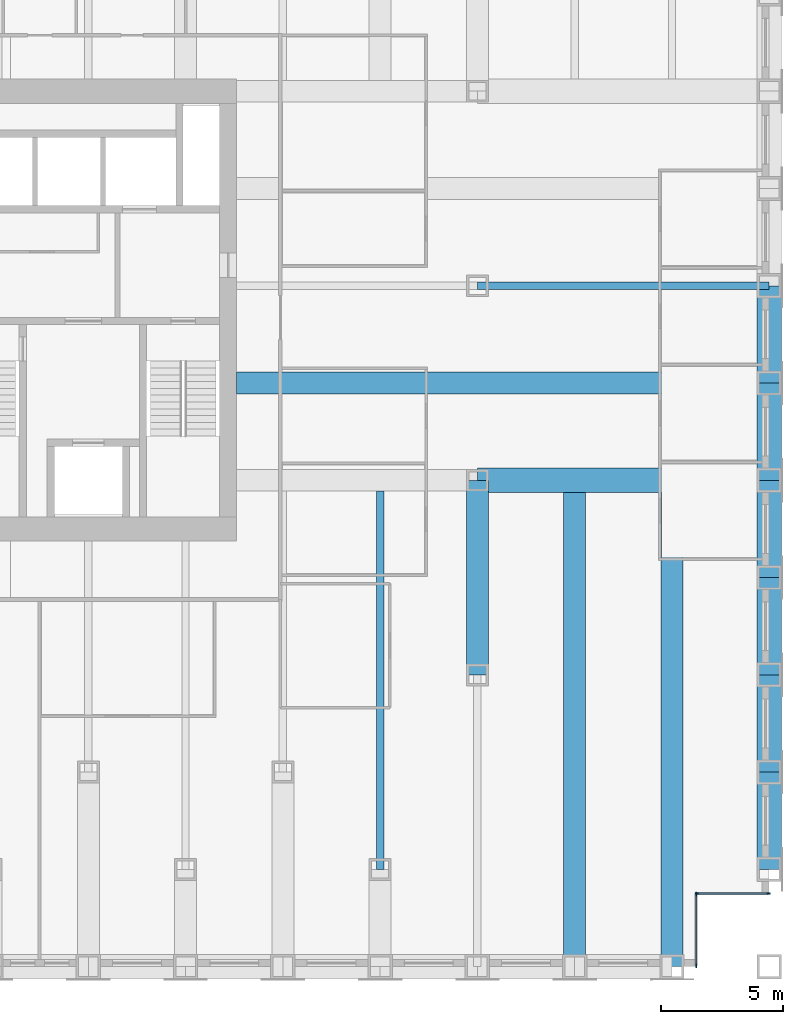
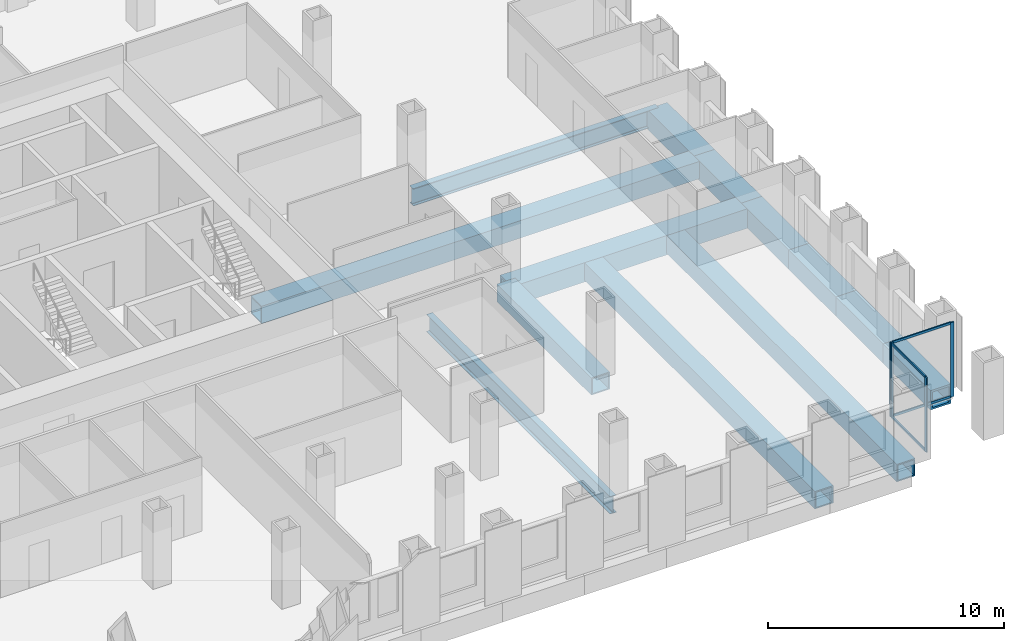
# One storey, part 4 of 16: 13 beams, 8 members, 2 elements without a shape of their own.
"""IFC4 building model written with IfcOpenShell, lengths in metres."""

import ifcopenshell
import ifcopenshell.guid

model = None  # the IFC model being written
_history = None  # IfcOwnerHistory: only IFC2X3 demands one
_inside = {}  # id of a spatial element -> (the spatial element, [elements in it])
_under = {}  # id of a project, library or spatial element -> (it, [spatial elements below it])
_declared = {}  # id of a project -> (the project, [libraries it declares])
_typed = {}  # id of a type object -> (the type object, [elements of that type])
_made_of = {}  # id of a material, layer set ... -> (it, [elements and type objects made of it])


def new_model(schema):
    """Start an empty IFC model of exactly this schema.

    Asked for "IFC4X3", IfcOpenShell would pick the latest addendum, in which some entities
    have other attributes; the version numbers below select the first issue.
    IFC2X3 requires an IfcOwnerHistory on every rooted entity: one is made here for all.
    """
    global model, _history
    if schema == "IFC4X3":
        model = ifcopenshell.file(schema_version=(4, 3, 0, 0))
    else:
        model = ifcopenshell.file(schema=schema)
    _inside.clear()
    _under.clear()
    _declared.clear()
    _typed.clear()
    _made_of.clear()
    _history = None
    if model.schema == "IFC2X3":
        org = make("IfcOrganization", Name="unknown")
        user = make(
            "IfcPersonAndOrganization",
            ThePerson=make("IfcPerson", FamilyName="unknown"),
            TheOrganization=org,
        )
        app = make(
            "IfcApplication",
            ApplicationDeveloper=org,
            Version="unknown",
            ApplicationFullName="unknown",
            ApplicationIdentifier="unknown",
        )
        _history = make(
            "IfcOwnerHistory",
            OwningUser=user,
            OwningApplication=app,
            ChangeAction="ADDED",
            CreationDate=0,
        )
    return model


def make(cls, **values):
    """One entity of the class cls with the attributes given. An attribute that is None is left unset."""
    return model.create_entity(
        cls, **{name: value for name, value in values.items() if value is not None}
    )


def rooted(cls, **values):
    """An entity with a GlobalId (a new one), such as an element, a storey or a relation."""
    return make(cls, GlobalId=ifcopenshell.guid.new(), OwnerHistory=_history, **values)


def si_unit(unit_type, name, prefix=None):
    """IfcSIUnit, for example si_unit("LENGTHUNIT", "METRE", prefix="MILLI")."""
    return make("IfcSIUnit", UnitType=unit_type, Prefix=prefix, Name=name)


def assignment(units):
    """IfcUnitAssignment: the units of a project."""
    return None if units is None else make("IfcUnitAssignment", Units=units)


def point(xyz):
    """IfcCartesianPoint."""
    return None if xyz is None else make("IfcCartesianPoint", Coordinates=xyz)


def direction(xyz):
    """IfcDirection."""
    return None if xyz is None else make("IfcDirection", DirectionRatios=xyz)


def frame(location, z_axis=None, x_axis=None):
    """IfcAxis2Placement3D, a coordinate frame: its origin and axes. An axis left out is left unset."""
    return make(
        "IfcAxis2Placement3D",
        Location=point(location),
        Axis=direction(z_axis),
        RefDirection=direction(x_axis),
    )


def frame_2d(location, x_axis=None):
    """IfcAxis2Placement2D, a coordinate frame in the plane: its origin and x axis."""
    return make(
        "IfcAxis2Placement2D", Location=point(location), RefDirection=direction(x_axis)
    )


def origin():
    """The frame at (0, 0, 0) with its axes left unset."""
    return frame((0.0, 0.0, 0.0))


def origin_2d():
    """The frame at (0, 0) in the plane with its x axis left unset."""
    return frame_2d((0.0, 0.0))


def place(relative_to, where):
    """IfcLocalPlacement: puts the frame where relative to a parent placement (None: the world)."""
    return make(
        "IfcLocalPlacement", PlacementRelTo=relative_to, RelativePlacement=where
    )


def context(
    kind, dimensions, precision=None, world=None, true_north=None, identifier=None
):
    """IfcGeometricRepresentationContext, for example the 3D "Model" context."""
    return make(
        "IfcGeometricRepresentationContext",
        ContextIdentifier=identifier,
        ContextType=kind,
        CoordinateSpaceDimension=dimensions,
        Precision=precision,
        WorldCoordinateSystem=world,
        TrueNorth=true_north,
    )


def subcontext(parent, identifier, kind, view, scale=None):
    """IfcGeometricRepresentationSubContext, for example "Body" below "Model"."""
    return make(
        "IfcGeometricRepresentationSubContext",
        ContextIdentifier=identifier,
        ContextType=kind,
        ParentContext=parent,
        TargetScale=scale,
        TargetView=view,
    )


def project(units=None, contexts=None):
    """IfcProject with its units and contexts."""
    return rooted(
        "IfcProject",
        Name="project",
        RepresentationContexts=contexts,
        UnitsInContext=assignment(units),
    )


def spatial(cls, under=None, at=None, **own):
    """A site, building, storey or space (cls), placed at a placement, below another one or the project."""
    s = rooted(cls, ObjectPlacement=at, **own)
    if under is not None:
        _under.setdefault(under.id(), (under, []))[1].append(s)
    return s


def profile(cls, at=None, kind="AREA", **sizes):
    """A parametric profile (cls). Its sizes go by their IFC names, for example OverallWidth=200.0."""
    return make(cls, ProfileType=kind, Position=at, **sizes)


def rectangle(**sizes):
    """IfcRectangleProfileDef."""
    return profile("IfcRectangleProfileDef", **sizes)


def hollow_rectangle(**sizes):
    """IfcRectangleHollowProfileDef."""
    return profile("IfcRectangleHollowProfileDef", **sizes)


def i_section(**sizes):
    """IfcIShapeProfileDef."""
    return profile("IfcIShapeProfileDef", **sizes)


def extrude(swept, where, along, depth):
    """IfcExtrudedAreaSolid: the profile swept, set in the frame where, extruded along a direction by depth."""
    return make(
        "IfcExtrudedAreaSolid",
        SweptArea=swept,
        Position=where,
        ExtrudedDirection=direction(along),
        Depth=depth,
    )


def shape(context_of_items, identifier, shape_type, items):
    """IfcShapeRepresentation: the items that make up one representation, for example the "Body"."""
    return make(
        "IfcShapeRepresentation",
        ContextOfItems=context_of_items,
        RepresentationIdentifier=identifier,
        RepresentationType=shape_type,
        Items=items,
    )


def material(Name=None, Category=None):
    """IfcMaterial."""
    return make("IfcMaterial", Name=Name, Category=Category)


def material_profile(
    of_material, cross_section, Name=None, Category=None, Priority=None
):
    """IfcMaterialProfile: a cross section and its material."""
    return make(
        "IfcMaterialProfile",
        Name=Name,
        Material=of_material,
        Profile=cross_section,
        Priority=Priority,
        Category=Category,
    )


def profile_set(profiles, Name=None, composite=None):
    """IfcMaterialProfileSet."""
    return make(
        "IfcMaterialProfileSet",
        Name=Name,
        MaterialProfiles=profiles,
        CompositeProfile=composite,
    )


def made_of(thing, what):
    """Note that an element or type object is made of a material, layer set ...; save() writes the relation."""
    if what is not None:
        _made_of.setdefault(what.id(), (what, []))[1].append(thing)
    return thing


def type_object(cls, material=None, **own):
    """A type object (cls), such as IfcWallType, which elements share."""
    return made_of(rooted(cls, **own), material)


def element(
    cls,
    number,
    at=None,
    inside=None,
    cuts=None,
    type_object=None,
    material=None,
    context=None,
    identifier="Body",
    shape_type=None,
    held_by="IfcProductDefinitionShape",
    body=None,
    shapes=None,
    **own,
):
    """One element of the class cls, such as IfcWall. Its Tag is "e" and its number.

    at: its placement. inside: the storey or other place that contains it. cuts: it is an
    opening in that element (IfcRelVoidsElement). A single representation is given by context,
    identifier, shape_type and body (its items); several are given by shapes. held_by: the class
    of the entity that holds the representations. save() writes the other relations.
    """
    e = rooted(cls, Tag="e%d" % number, ObjectPlacement=at, **own)
    if body is not None:
        shapes = [shape(context, identifier, shape_type, body)]
    if shapes is not None:
        e.Representation = make(held_by, Representations=shapes)
    if inside is not None:
        _inside.setdefault(inside.id(), (inside, []))[1].append(e)
    if cuts is not None:
        rooted(
            "IfcRelVoidsElement", RelatingBuildingElement=cuts, RelatedOpeningElement=e
        )
    if type_object is not None:
        _typed.setdefault(type_object.id(), (type_object, []))[1].append(e)
    return made_of(e, material)


def aggregate(whole, parts):
    """IfcRelAggregates: a whole, such as a stair, and the parts it consists of."""
    return rooted("IfcRelAggregates", RelatingObject=whole, RelatedObjects=parts)


def save(model, path):
    """Write the relations noted so far, then the file.

    IfcRelAggregates (storeys below a building ...), IfcRelContainedInSpatialStructure (elements
    in a storey), IfcRelDefinesByType, IfcRelAssociatesMaterial and IfcRelDeclares: one each for
    every whole, place, type object, material and project.
    """
    for whole, parts in _under.values():
        aggregate(whole, parts)
    for where, things in _inside.values():
        rooted(
            "IfcRelContainedInSpatialStructure",
            RelatedElements=things,
            RelatingStructure=where,
        )
    for kind, things in _typed.values():
        rooted("IfcRelDefinesByType", RelatedObjects=things, RelatingType=kind)
    for what, things in _made_of.values():
        rooted("IfcRelAssociatesMaterial", RelatedObjects=things, RelatingMaterial=what)
    for by, libraries in _declared.values():
        rooted("IfcRelDeclares", RelatingContext=by, RelatedDefinitions=libraries)
    model.write(path)


model = new_model("IFC4")

# Units and contexts
model_context = context("Model", 3, precision=1e-05, world=origin(), true_north=direction((0.0, 1.0)))
body_context = subcontext(model_context, "Body", "Model", "MODEL_VIEW")
ifc_project = project(units=[si_unit("LENGTHUNIT", "METRE"), si_unit("AREAUNIT", "SQUARE_METRE"), si_unit("VOLUMEUNIT", "CUBIC_METRE"), si_unit("PLANEANGLEUNIT", "RADIAN"), si_unit("MASSUNIT", "GRAM", prefix="KILO")], contexts=[model_context])

# Site, building, storey
site_placement = place(None, origin())
site = spatial("IfcSite", under=ifc_project, at=site_placement, CompositionType="ELEMENT")
building_placement = place(site_placement, origin())
building = spatial("IfcBuilding", under=site, at=building_placement, Name="Rimbunsela Tower", CompositionType="ELEMENT")
storey_placement = place(building_placement, frame((0.0, 0.0, 89.39990234375)))
storey = spatial("IfcBuildingStorey", under=building, at=storey_placement, Name="L21", CompositionType="ELEMENT", Elevation=89.39990234375)

# Beams
ifc_material_1 = material(Name="Steel BJ 55 (fy 410 MPa)", Category="steel")
ifc_material_profile_1 = material_profile(ifc_material_1, hollow_rectangle(XDim=1.0, YDim=1.0, WallThickness=0.10009765625, at=origin_2d()), Name="BOX 1000x1000x100")
ifc_profile_set_1 = profile_set([ifc_material_profile_1], Name="Steel BJ 55 (fy 410 MPa)")
beam_type_1 = type_object("IfcBeamType", Name="Beam BOX 1000x1000x100", PredefinedType="BEAM", material=ifc_profile_set_1)
beam_1_placement = place(storey_placement, frame((46.0, 20.0, -0.64990234375), z_axis=(1.0, 0.0, 0.0), x_axis=(0.0, 1.0, 0.0)))
element("IfcBeam", 1, at=beam_1_placement, inside=storey, type_object=beam_type_1, Name="Beam B3 L21", PredefinedType="BEAM", context=body_context, shape_type="SweptSolid", body=[
    extrude(hollow_rectangle(XDim=1.0, YDim=1.0, WallThickness=0.10009765625, at=origin_2d()), origin(), (0.0, 0.0, 1.0), 12.0),
])
for number, where, z_axis, x_axis, name in (
    (2, (58.0, 4.0, -0.64990234375), (0.0, 1.0, 0.0), (-1.0, 0.0, 0.0), "Beam B3 L21"),
    (3, (58.0, 8.0, -0.64990234375), (0.0, 1.0, 0.0), (-1.0, 0.0, 0.0), "Beam B3 L21"),
    (4, (58.0, 12.0, -0.64990234375), (0.0, 1.0, 0.0), (-1.0, 0.0, 0.0), "Beam B3 L21"),
    (5, (58.0, 16.0, -0.64990234375), (0.0, 1.0, 0.0), (-1.0, 0.0, 0.0), "Beam B3 L21"),
    (6, (58.0, 20.0, -0.64990234375), (0.0, 1.0, 0.0), (-1.0, 0.0, 0.0), "Beam B3 L21"),
    (7, (58.0, 24.0, -0.64990234375), (0.0, 1.0, 0.0), (-1.0, 0.0, 0.0), "Beam B3 L21"),
):
    element("IfcBeam", number, at=place(storey_placement, frame(where, z_axis=z_axis, x_axis=x_axis)), inside=storey, type_object=beam_type_1, Name=name, PredefinedType="BEAM", context=body_context, shape_type="SweptSolid", body=[
        extrude(hollow_rectangle(XDim=1.0, YDim=1.0, WallThickness=0.10009765625, at=origin_2d()), origin(), (0.0, 0.0, 1.0), 4.0),
    ])
ifc_material_2 = material(Name="Steel BJ 55 (fy 410 MPa)", Category="steel")
ifc_material_profile_2 = material_profile(ifc_material_2, hollow_rectangle(XDim=0.89990234375, YDim=0.89990234375, WallThickness=0.06005859375, at=origin_2d()), Name="BOX 900x900x60")
ifc_profile_set_2 = profile_set([ifc_material_profile_2], Name="Steel BJ 55 (fy 410 MPa)")
beam_type_2 = type_object("IfcBeamType", Name="Beam BOX 900x900x60", PredefinedType="BEAM", material=ifc_profile_set_2)
beam_2_placement = place(storey_placement, frame((36.10009765625, 24.0, -0.599853515625), z_axis=(1.0, 0.0, 0.0), x_axis=(0.0, 1.0, 0.0)))
element("IfcBeam", 8, at=beam_2_placement, inside=storey, type_object=beam_type_2, Name="Beam B1 L21", PredefinedType="BEAM", context=body_context, shape_type="SweptSolid", body=[
    extrude(hollow_rectangle(XDim=0.89990234375, YDim=0.89990234375, WallThickness=0.06005859375, at=origin_2d()), origin(), (0.0, 0.0, 1.0), 21.89990234375),
])
beam_3_placement = place(storey_placement, frame((46.0, 12.0, -0.599853515625), z_axis=(0.0, 1.0, 0.0), x_axis=(-1.0, 0.0, 0.0)))
element("IfcBeam", 9, at=beam_3_placement, inside=storey, type_object=beam_type_2, Name="Beam B1 L21", PredefinedType="BEAM", context=body_context, shape_type="SweptSolid", body=[
    extrude(hollow_rectangle(XDim=0.89990234375, YDim=0.89990234375, WallThickness=0.06005859375, at=origin_2d()), origin(), (0.0, 0.0, 1.0), 8.0),
])
for number, where, z_axis, x_axis, name in (
    (10, (50.0, 0.0, -0.599853515625), (0.0, 1.0, 0.0), (-1.0, 0.0, 0.0), "Beam B1 L21"),
    (11, (54.0, 0.0, -0.599853515625), (0.0, 1.0, 0.0), (-1.0, 0.0, 0.0), "Beam B1 L21"),
):
    element("IfcBeam", number, at=place(storey_placement, frame(where, z_axis=z_axis, x_axis=x_axis)), inside=storey, type_object=beam_type_2, Name=name, PredefinedType="BEAM", context=body_context, shape_type="SweptSolid", body=[
        extrude(hollow_rectangle(XDim=0.89990234375, YDim=0.89990234375, WallThickness=0.06005859375, at=origin_2d()), origin(), (0.0, 0.0, 1.0), 19.5),
    ])
ifc_material_3 = material(Name="Steel BJ 55 (fy 410 MPa)", Category="steel")
ifc_material_profile_3 = material_profile(ifc_material_3, i_section(OverallWidth=0.300048828125, OverallDepth=0.89990234375, WebThickness=0.01611328125, FlangeThickness=0.028076171875, FilletRadius=0.028076171875, at=origin_2d()), Name="H 900x300x16x28")
ifc_profile_set_3 = profile_set([ifc_material_profile_3], Name="Steel BJ 55 (fy 410 MPa)")
beam_type_3 = type_object("IfcBeamType", Name="Beam H 900x300x16x28", PredefinedType="BEAM", material=ifc_profile_set_3)
beam_4_placement = place(storey_placement, frame((42.0, 4.0, -0.599853515625), z_axis=(0.0, 1.0, 0.0), x_axis=(-1.0, 0.0, 0.0)))
element("IfcBeam", 12, at=beam_4_placement, inside=storey, type_object=beam_type_3, Name="Beam B2 L21", PredefinedType="BEAM", context=body_context, shape_type="SweptSolid", body=[
    extrude(i_section(OverallWidth=0.300048828125, OverallDepth=0.89990234375, WebThickness=0.01611328125, FlangeThickness=0.028076171875, FilletRadius=0.028076171875, at=origin_2d()), origin(), (0.0, 0.0, 1.0), 15.550048828125),
])
beam_5_placement = place(storey_placement, frame((46.0, 28.0, -0.599853515625), z_axis=(1.0, 0.0, 0.0), x_axis=(0.0, 1.0, 0.0)))
element("IfcBeam", 13, at=beam_5_placement, inside=storey, type_object=beam_type_3, Name="Beam B2 L21", PredefinedType="BEAM", context=body_context, shape_type="SweptSolid", body=[
    extrude(i_section(OverallWidth=0.300048828125, OverallDepth=0.89990234375, WebThickness=0.01611328125, FlangeThickness=0.028076171875, FilletRadius=0.028076171875, at=origin_2d()), origin(), (0.0, 0.0, 1.0), 12.0),
])

# Curtain wall, members
ifc_material_4 = material(Name="Aluminium curtain wall", Category="aluminium")
curtain_wall_type = type_object("IfcCurtainWallType", Name="Corner glazing", PredefinedType="USERDEFINED", material=ifc_material_4)
curtain_wall_1_placement = place(storey_placement, origin())
curtain_wall_1 = element("IfcCurtainWall", 14, at=curtain_wall_1_placement, inside=storey, type_object=curtain_wall_type, Name="Corner glazing L21", ObjectType="CORNER GLAZING", PredefinedType="USERDEFINED")
ifc_material_5 = material(Name="Aluminium mullion", Category="aluminium")
ifc_material_profile_4 = material_profile(ifc_material_5, rectangle(XDim=0.06005859375, YDim=0.159912109375, at=origin_2d()), Name="Mullion 60x160")
ifc_profile_set_4 = profile_set([ifc_material_profile_4], Name="Aluminium mullion")
member_type_1 = type_object("IfcMemberType", Name="Curtain wall mullion 60x160", PredefinedType="MULLION", material=ifc_profile_set_4)
member_1_placement = place(storey_placement, frame((55.0, 0.030029296875, 0.0), z_axis=(0.0, 0.0, 1.0), x_axis=(-1.0, 0.0, 0.0)))
member_1 = element("IfcMember", 15, at=member_1_placement, type_object=member_type_1, Name="CW5 mullion 1", PredefinedType="MULLION", context=body_context, shape_type="SweptSolid", body=[
    extrude(rectangle(XDim=0.06005859375, YDim=0.159912109375, at=origin_2d()), origin(), (0.0, 0.0, 1.0), 3.85009765625),
])
member_2_placement = place(storey_placement, frame((55.0, 2.969970703125, 0.0), z_axis=(0.0, 0.0, 1.0), x_axis=(-1.0, 0.0, 0.0)))
member_2 = element("IfcMember", 16, at=member_2_placement, type_object=member_type_1, Name="CW5 mullion 2", PredefinedType="MULLION", context=body_context, shape_type="SweptSolid", body=[
    extrude(rectangle(XDim=0.06005859375, YDim=0.159912109375, at=origin_2d()), origin(), (0.0, 0.0, 1.0), 3.85009765625),
])

curtain_wall_2_placement = place(storey_placement, origin())
curtain_wall_2 = element("IfcCurtainWall", 17, at=curtain_wall_2_placement, inside=storey, type_object=curtain_wall_type, Name="Corner glazing L21", ObjectType="CORNER GLAZING", PredefinedType="USERDEFINED")
member_3_placement = place(storey_placement, frame((55.030029296875, 3.0, 0.0), z_axis=(0.0, 0.0, 1.0), x_axis=(0.0, 1.0, 0.0)))
member_3 = element("IfcMember", 18, at=member_3_placement, type_object=member_type_1, Name="CW5 mullion 1", PredefinedType="MULLION", context=body_context, shape_type="SweptSolid", body=[
    extrude(rectangle(XDim=0.06005859375, YDim=0.159912109375, at=origin_2d()), origin(), (0.0, 0.0, 1.0), 3.85009765625),
])
member_4_placement = place(storey_placement, frame((57.969970703125, 3.0, 0.0), z_axis=(0.0, 0.0, 1.0), x_axis=(0.0, 1.0, 0.0)))
member_4 = element("IfcMember", 19, at=member_4_placement, type_object=member_type_1, Name="CW5 mullion 2", PredefinedType="MULLION", context=body_context, shape_type="SweptSolid", body=[
    extrude(rectangle(XDim=0.06005859375, YDim=0.159912109375, at=origin_2d()), origin(), (0.0, 0.0, 1.0), 3.85009765625),
])

# Member
ifc_material_6 = material(Name="Aluminium transom", Category="aluminium")
ifc_material_profile_5 = material_profile(ifc_material_6, rectangle(XDim=0.06005859375, YDim=0.1201171875, at=origin_2d()), Name="Transom 60x120")
ifc_profile_set_5 = profile_set([ifc_material_profile_5], Name="Aluminium transom")
member_type_2 = type_object("IfcMemberType", Name="Curtain wall transom 60x120", PredefinedType="USERDEFINED", material=ifc_profile_set_5)
member_5_placement = place(storey_placement, frame((55.0, 0.06005859375, 0.030029296875), z_axis=(0.0, 1.0, 0.0), x_axis=(-1.0, 0.0, 0.0)))
member_5 = element("IfcMember", 20, at=member_5_placement, type_object=member_type_2, Name="CW5 transom 1.1", ObjectType="TRANSOM", PredefinedType="USERDEFINED", context=body_context, shape_type="SweptSolid", body=[
    extrude(rectangle(XDim=0.06005859375, YDim=0.1201171875, at=origin_2d()), origin(), (0.0, 0.0, 1.0), 2.8798828125),
])

member_6_placement = place(storey_placement, frame((55.0, 0.06005859375, 3.820068359375), z_axis=(0.0, 1.0, 0.0), x_axis=(-1.0, 0.0, 0.0)))
member_6 = element("IfcMember", 21, at=member_6_placement, type_object=member_type_2, Name="CW5 transom 1.2", ObjectType="TRANSOM", PredefinedType="USERDEFINED", context=body_context, shape_type="SweptSolid", body=[
    extrude(rectangle(XDim=0.06005859375, YDim=0.1201171875, at=origin_2d()), origin(), (0.0, 0.0, 1.0), 2.8798828125),
])

aggregate(curtain_wall_1, [member_1, member_2, member_5, member_6])

member_7_placement = place(storey_placement, frame((55.06005859375, 3.0, 0.030029296875), z_axis=(1.0, 0.0, 0.0), x_axis=(0.0, 1.0, 0.0)))
member_7 = element("IfcMember", 22, at=member_7_placement, type_object=member_type_2, Name="CW5 transom 1.1", ObjectType="TRANSOM", PredefinedType="USERDEFINED", context=body_context, shape_type="SweptSolid", body=[
    extrude(rectangle(XDim=0.06005859375, YDim=0.1201171875, at=origin_2d()), origin(), (0.0, 0.0, 1.0), 2.8798828125),
])

member_8_placement = place(storey_placement, frame((55.06005859375, 3.0, 3.820068359375), z_axis=(1.0, 0.0, 0.0), x_axis=(0.0, 1.0, 0.0)))
member_8 = element("IfcMember", 23, at=member_8_placement, type_object=member_type_2, Name="CW5 transom 1.2", ObjectType="TRANSOM", PredefinedType="USERDEFINED", context=body_context, shape_type="SweptSolid", body=[
    extrude(rectangle(XDim=0.06005859375, YDim=0.1201171875, at=origin_2d()), origin(), (0.0, 0.0, 1.0), 2.8798828125),
])

aggregate(curtain_wall_2, [member_3, member_4, member_7, member_8])

save(model, "model.ifc")
